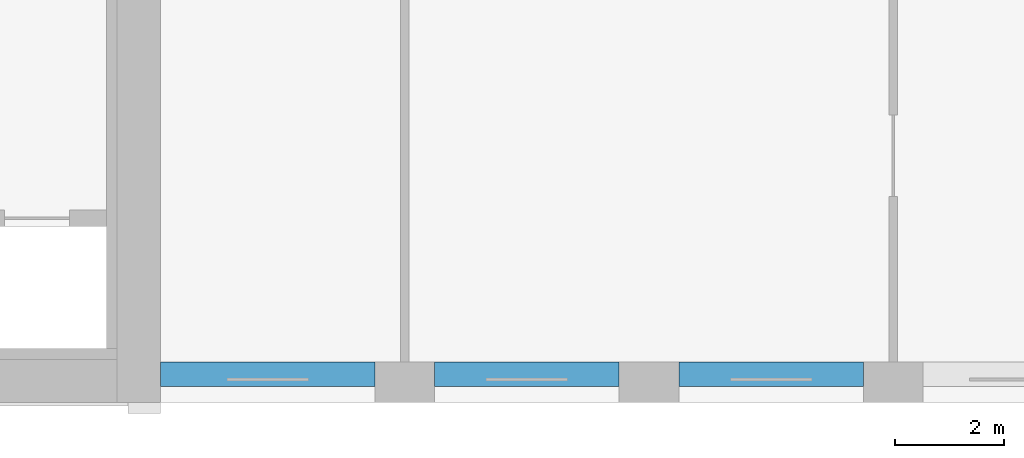
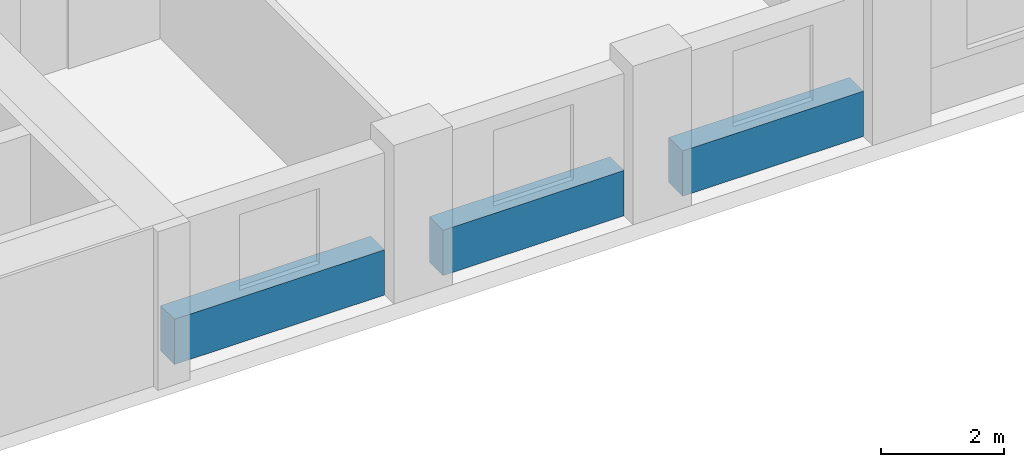
# One storey, part 3 of 16: 3 beams.
"""IFC4 building model written with IfcOpenShell, lengths in metres."""

import ifcopenshell
import ifcopenshell.guid

model = None  # the IFC model being written
_history = None  # IfcOwnerHistory: only IFC2X3 demands one
_inside = {}  # id of a spatial element -> (the spatial element, [elements in it])
_under = {}  # id of a project, library or spatial element -> (it, [spatial elements below it])
_declared = {}  # id of a project -> (the project, [libraries it declares])
_typed = {}  # id of a type object -> (the type object, [elements of that type])
_made_of = {}  # id of a material, layer set ... -> (it, [elements and type objects made of it])


def new_model(schema):
    """Start an empty IFC model of exactly this schema.

    Asked for "IFC4X3", IfcOpenShell would pick the latest addendum, in which some entities
    have other attributes; the version numbers below select the first issue.
    IFC2X3 requires an IfcOwnerHistory on every rooted entity: one is made here for all.
    """
    global model, _history
    if schema == "IFC4X3":
        model = ifcopenshell.file(schema_version=(4, 3, 0, 0))
    else:
        model = ifcopenshell.file(schema=schema)
    _inside.clear()
    _under.clear()
    _declared.clear()
    _typed.clear()
    _made_of.clear()
    _history = None
    if model.schema == "IFC2X3":
        org = make("IfcOrganization", Name="unknown")
        user = make(
            "IfcPersonAndOrganization",
            ThePerson=make("IfcPerson", FamilyName="unknown"),
            TheOrganization=org,
        )
        app = make(
            "IfcApplication",
            ApplicationDeveloper=org,
            Version="unknown",
            ApplicationFullName="unknown",
            ApplicationIdentifier="unknown",
        )
        _history = make(
            "IfcOwnerHistory",
            OwningUser=user,
            OwningApplication=app,
            ChangeAction="ADDED",
            CreationDate=0,
        )
    return model


def make(cls, **values):
    """One entity of the class cls with the attributes given. An attribute that is None is left unset."""
    return model.create_entity(
        cls, **{name: value for name, value in values.items() if value is not None}
    )


def rooted(cls, **values):
    """An entity with a GlobalId (a new one), such as an element, a storey or a relation."""
    return make(cls, GlobalId=ifcopenshell.guid.new(), OwnerHistory=_history, **values)


def si_unit(unit_type, name, prefix=None):
    """IfcSIUnit, for example si_unit("LENGTHUNIT", "METRE", prefix="MILLI")."""
    return make("IfcSIUnit", UnitType=unit_type, Prefix=prefix, Name=name)


def assignment(units):
    """IfcUnitAssignment: the units of a project."""
    return None if units is None else make("IfcUnitAssignment", Units=units)


def point(xyz):
    """IfcCartesianPoint."""
    return None if xyz is None else make("IfcCartesianPoint", Coordinates=xyz)


def direction(xyz):
    """IfcDirection."""
    return None if xyz is None else make("IfcDirection", DirectionRatios=xyz)


def frame(location, z_axis=None, x_axis=None):
    """IfcAxis2Placement3D, a coordinate frame: its origin and axes. An axis left out is left unset."""
    return make(
        "IfcAxis2Placement3D",
        Location=point(location),
        Axis=direction(z_axis),
        RefDirection=direction(x_axis),
    )


def frame_2d(location, x_axis=None):
    """IfcAxis2Placement2D, a coordinate frame in the plane: its origin and x axis."""
    return make(
        "IfcAxis2Placement2D", Location=point(location), RefDirection=direction(x_axis)
    )


def origin():
    """The frame at (0, 0, 0) with its axes left unset."""
    return frame((0.0, 0.0, 0.0))


def origin_2d():
    """The frame at (0, 0) in the plane with its x axis left unset."""
    return frame_2d((0.0, 0.0))


def place(relative_to, where):
    """IfcLocalPlacement: puts the frame where relative to a parent placement (None: the world)."""
    return make(
        "IfcLocalPlacement", PlacementRelTo=relative_to, RelativePlacement=where
    )


def context(
    kind, dimensions, precision=None, world=None, true_north=None, identifier=None
):
    """IfcGeometricRepresentationContext, for example the 3D "Model" context."""
    return make(
        "IfcGeometricRepresentationContext",
        ContextIdentifier=identifier,
        ContextType=kind,
        CoordinateSpaceDimension=dimensions,
        Precision=precision,
        WorldCoordinateSystem=world,
        TrueNorth=true_north,
    )


def subcontext(parent, identifier, kind, view, scale=None):
    """IfcGeometricRepresentationSubContext, for example "Body" below "Model"."""
    return make(
        "IfcGeometricRepresentationSubContext",
        ContextIdentifier=identifier,
        ContextType=kind,
        ParentContext=parent,
        TargetScale=scale,
        TargetView=view,
    )


def project(units=None, contexts=None):
    """IfcProject with its units and contexts."""
    return rooted(
        "IfcProject",
        Name="project",
        RepresentationContexts=contexts,
        UnitsInContext=assignment(units),
    )


def spatial(cls, under=None, at=None, **own):
    """A site, building, storey or space (cls), placed at a placement, below another one or the project."""
    s = rooted(cls, ObjectPlacement=at, **own)
    if under is not None:
        _under.setdefault(under.id(), (under, []))[1].append(s)
    return s


def profile(cls, at=None, kind="AREA", **sizes):
    """A parametric profile (cls). Its sizes go by their IFC names, for example OverallWidth=200.0."""
    return make(cls, ProfileType=kind, Position=at, **sizes)


def rectangle(**sizes):
    """IfcRectangleProfileDef."""
    return profile("IfcRectangleProfileDef", **sizes)


def extrude(swept, where, along, depth):
    """IfcExtrudedAreaSolid: the profile swept, set in the frame where, extruded along a direction by depth."""
    return make(
        "IfcExtrudedAreaSolid",
        SweptArea=swept,
        Position=where,
        ExtrudedDirection=direction(along),
        Depth=depth,
    )


def shape(context_of_items, identifier, shape_type, items):
    """IfcShapeRepresentation: the items that make up one representation, for example the "Body"."""
    return make(
        "IfcShapeRepresentation",
        ContextOfItems=context_of_items,
        RepresentationIdentifier=identifier,
        RepresentationType=shape_type,
        Items=items,
    )


def material(Name=None, Category=None):
    """IfcMaterial."""
    return make("IfcMaterial", Name=Name, Category=Category)


def material_profile(
    of_material, cross_section, Name=None, Category=None, Priority=None
):
    """IfcMaterialProfile: a cross section and its material."""
    return make(
        "IfcMaterialProfile",
        Name=Name,
        Material=of_material,
        Profile=cross_section,
        Priority=Priority,
        Category=Category,
    )


def profile_set(profiles, Name=None, composite=None):
    """IfcMaterialProfileSet."""
    return make(
        "IfcMaterialProfileSet",
        Name=Name,
        MaterialProfiles=profiles,
        CompositeProfile=composite,
    )


def made_of(thing, what):
    """Note that an element or type object is made of a material, layer set ...; save() writes the relation."""
    if what is not None:
        _made_of.setdefault(what.id(), (what, []))[1].append(thing)
    return thing


def type_object(cls, material=None, **own):
    """A type object (cls), such as IfcWallType, which elements share."""
    return made_of(rooted(cls, **own), material)


def element(
    cls,
    number,
    at=None,
    inside=None,
    cuts=None,
    type_object=None,
    material=None,
    context=None,
    identifier="Body",
    shape_type=None,
    held_by="IfcProductDefinitionShape",
    body=None,
    shapes=None,
    **own,
):
    """One element of the class cls, such as IfcWall. Its Tag is "e" and its number.

    at: its placement. inside: the storey or other place that contains it. cuts: it is an
    opening in that element (IfcRelVoidsElement). A single representation is given by context,
    identifier, shape_type and body (its items); several are given by shapes. held_by: the class
    of the entity that holds the representations. save() writes the other relations.
    """
    e = rooted(cls, Tag="e%d" % number, ObjectPlacement=at, **own)
    if body is not None:
        shapes = [shape(context, identifier, shape_type, body)]
    if shapes is not None:
        e.Representation = make(held_by, Representations=shapes)
    if inside is not None:
        _inside.setdefault(inside.id(), (inside, []))[1].append(e)
    if cuts is not None:
        rooted(
            "IfcRelVoidsElement", RelatingBuildingElement=cuts, RelatedOpeningElement=e
        )
    if type_object is not None:
        _typed.setdefault(type_object.id(), (type_object, []))[1].append(e)
    return made_of(e, material)


def aggregate(whole, parts):
    """IfcRelAggregates: a whole, such as a stair, and the parts it consists of."""
    return rooted("IfcRelAggregates", RelatingObject=whole, RelatedObjects=parts)


def save(model, path):
    """Write the relations noted so far, then the file.

    IfcRelAggregates (storeys below a building ...), IfcRelContainedInSpatialStructure (elements
    in a storey), IfcRelDefinesByType, IfcRelAssociatesMaterial and IfcRelDeclares: one each for
    every whole, place, type object, material and project.
    """
    for whole, parts in _under.values():
        aggregate(whole, parts)
    for where, things in _inside.values():
        rooted(
            "IfcRelContainedInSpatialStructure",
            RelatedElements=things,
            RelatingStructure=where,
        )
    for kind, things in _typed.values():
        rooted("IfcRelDefinesByType", RelatedObjects=things, RelatingType=kind)
    for what, things in _made_of.values():
        rooted("IfcRelAssociatesMaterial", RelatedObjects=things, RelatingMaterial=what)
    for by, libraries in _declared.values():
        rooted("IfcRelDeclares", RelatingContext=by, RelatedDefinitions=libraries)
    model.write(path)


model = new_model("IFC4")

# Units and contexts
model_context = context("Model", 3, precision=1e-05, world=origin(), true_north=direction((0.0, 1.0)))
body_context = subcontext(model_context, "Body", "Model", "MODEL_VIEW")
ifc_project = project(units=[si_unit("LENGTHUNIT", "METRE"), si_unit("AREAUNIT", "SQUARE_METRE"), si_unit("VOLUMEUNIT", "CUBIC_METRE"), si_unit("PLANEANGLEUNIT", "RADIAN"), si_unit("MASSUNIT", "GRAM", prefix="KILO")], contexts=[model_context])

# Site, building, storey
site_placement = place(None, origin())
site = spatial("IfcSite", under=ifc_project, at=site_placement, CompositionType="ELEMENT")
building_placement = place(site_placement, origin())
building = spatial("IfcBuilding", under=site, at=building_placement, Name="Brigalow Station Residences", CompositionType="ELEMENT")
storey_placement = place(building_placement, frame((0.0, 0.0, 89.85009765625)))
storey = spatial("IfcBuildingStorey", under=building, at=storey_placement, Name="L25", CompositionType="ELEMENT", Elevation=89.85009765625)

# Beams
ifc_material = material(Name="Concrete C65", Category="concrete")
ifc_material_profile = material_profile(ifc_material, rectangle(XDim=0.449951171875, YDim=0.89990234375, at=origin_2d()), Name="RC450x900")
ifc_profile_set = profile_set([ifc_material_profile], Name="Concrete C65")
beam_type = type_object("IfcBeamType", Name="SPANDREL BEAM 450x900 C65", PredefinedType="SPANDREL", material=ifc_profile_set)
beam_placement = place(storey_placement, frame((54.0, 0.52490234375, 0.449951171875), z_axis=(1.0, 0.0, 0.0), x_axis=(0.0, 1.0, 0.0)))
element("IfcBeam", 1, at=beam_placement, inside=storey, type_object=beam_type, Name="L25/spandrel/W-L25-4", PredefinedType="SPANDREL", context=body_context, shape_type="SweptSolid", body=[
    extrude(rectangle(XDim=0.449951171875, YDim=0.89990234375, at=origin_2d()), origin(), (0.0, 0.0, 1.0), 3.949951171875),
])
for number, where, z_axis, x_axis, name in (
    (2, (59.050048828125, 0.52490234375, 0.449951171875), (1.0, 0.0, 0.0), (0.0, 1.0, 0.0), "L25/spandrel/W-L25-5"),
    (3, (63.550048828125, 0.52490234375, 0.449951171875), (1.0, 0.0, 0.0), (0.0, 1.0, 0.0), "L25/spandrel/W-L25-6"),
):
    element("IfcBeam", number, at=place(storey_placement, frame(where, z_axis=z_axis, x_axis=x_axis)), inside=storey, type_object=beam_type, Name=name, PredefinedType="SPANDREL", context=body_context, shape_type="SweptSolid", body=[
        extrude(rectangle(XDim=0.449951171875, YDim=0.89990234375, at=origin_2d()), origin(), (0.0, 0.0, 1.0), 3.39990234375),
    ])

save(model, "model.ifc")
